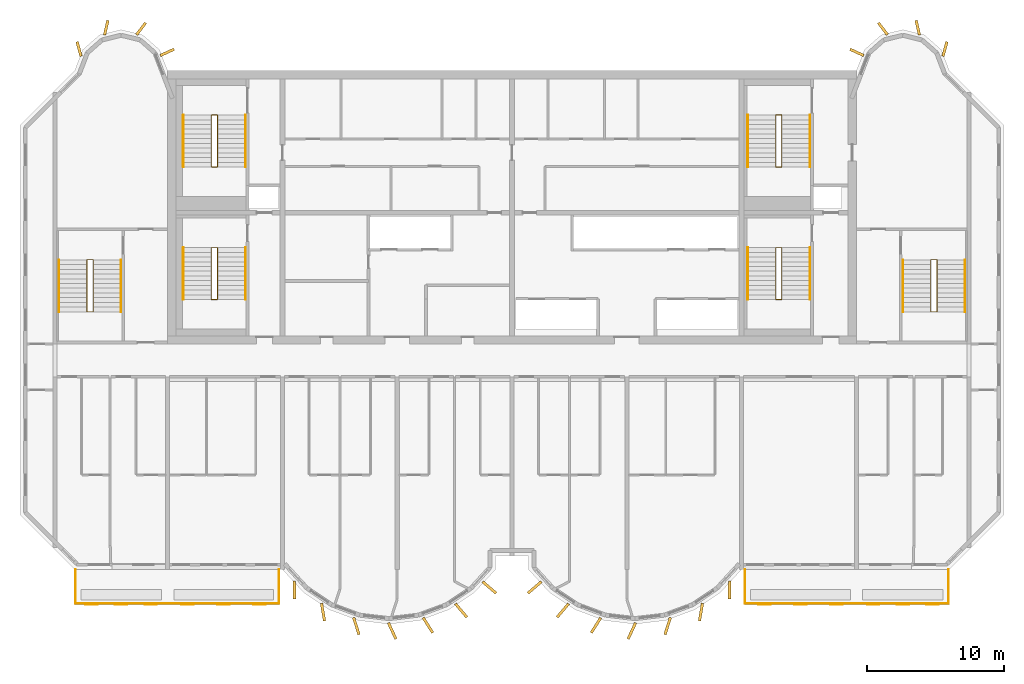
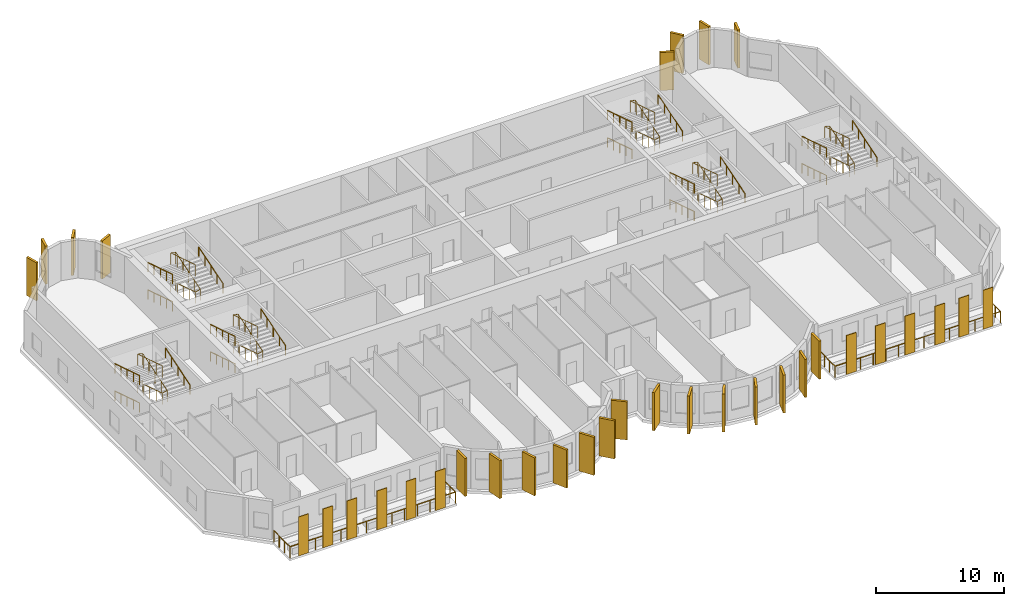
# One storey, part 10 of 11: 34 coverings, 26 railings.
"""IFC4 building model written with IfcOpenShell, lengths in metres."""

from ifc_helpers import new_model, si_unit, direction, frame, origin, origin_2d, place, context, subcontext, project, spatial, rectangle, circle, extrude, source, transform, mapped, material, layer, layer_set, material_profile, profile_set, type_object, element, save


model = new_model("IFC4")

# Units and contexts
model_context = context("Model", 3, precision=1e-05, world=origin(), true_north=direction((0.0, 1.0)))
body_context = subcontext(model_context, "Body", "Model", "MODEL_VIEW")
ifc_project = project(units=[si_unit("LENGTHUNIT", "METRE"), si_unit("AREAUNIT", "SQUARE_METRE"), si_unit("VOLUMEUNIT", "CUBIC_METRE"), si_unit("PLANEANGLEUNIT", "RADIAN"), si_unit("MASSUNIT", "GRAM", prefix="KILO")], contexts=[model_context])

# Site, building, storey
site_placement = place(None, origin())
site = spatial("IfcSite", under=ifc_project, at=site_placement, CompositionType="ELEMENT")
building_placement = place(site_placement, origin())
building = spatial("IfcBuilding", under=site, at=building_placement, Name="Vanashikhar Sky Hotel", CompositionType="ELEMENT")
storey_placement = place(building_placement, frame((0.0, 0.0, 225.699951171875)))
storey = spatial("IfcBuildingStorey", under=building, at=storey_placement, Name="L54", CompositionType="ELEMENT", Elevation=225.699951171875)

# Railings
ifc_material_1 = material(Name="Stainless steel 316", Category="steel")
railing_type_1 = type_object("IfcRailingType", Name="Balcony guard 1100", PredefinedType="GUARDRAIL", material=ifc_material_1)
shared_shape_1 = source(origin(), body_context, "Body", "SweptSolid", [
    extrude(circle(Radius=0.02392578125, at=origin_2d()), frame((0.0, 0.0, 1.076171875), z_axis=(0.0, -1.0, 0.0), x_axis=(1.0, 0.0, 0.0)), (0.0, 0.0, 1.0), 2.5),
    extrude(circle(Radius=0.02392578125, at=origin_2d()), frame((0.0, -2.5, 1.076171875), z_axis=(1.0, 0.0, 0.0), x_axis=(0.0, 1.0, 0.0)), (0.0, 0.0, 1.0), 14.880126953125),
    extrude(circle(Radius=0.02392578125, at=origin_2d()), frame((14.880126953125, -2.5, 1.076171875), z_axis=(0.0, 1.0, 0.0), x_axis=(-1.0, 0.0, 0.0)), (0.0, 0.0, 1.0), 2.5),
    extrude(circle(Radius=0.02099609375, at=origin_2d()), origin(), (0.0, 0.0, 1.0), 1.052001953125),
    extrude(circle(Radius=0.02099609375, at=origin_2d()), frame((0.0, -0.833251953125, 0.0)), (0.0, 0.0, 1.0), 1.052001953125),
    extrude(circle(Radius=0.02099609375, at=origin_2d()), frame((0.0, -1.666748046875, 0.0)), (0.0, 0.0, 1.0), 1.052001953125),
    extrude(circle(Radius=0.02099609375, at=origin_2d()), frame((0.0, -2.5, 0.0)), (0.0, 0.0, 1.0), 1.052001953125),
    extrude(circle(Radius=0.02099609375, at=origin_2d()), frame((1.14453125, -2.5, 0.0)), (0.0, 0.0, 1.0), 1.052001953125),
    extrude(circle(Radius=0.02099609375, at=origin_2d()), frame((2.289306640625, -2.5, 0.0)), (0.0, 0.0, 1.0), 1.052001953125),
    extrude(circle(Radius=0.02099609375, at=origin_2d()), frame((3.433837890625, -2.5, 0.0)), (0.0, 0.0, 1.0), 1.052001953125),
    extrude(circle(Radius=0.02099609375, at=origin_2d()), frame((4.57861328125, -2.5, 0.0)), (0.0, 0.0, 1.0), 1.052001953125),
    extrude(circle(Radius=0.02099609375, at=origin_2d()), frame((5.72314453125, -2.5, 0.0)), (0.0, 0.0, 1.0), 1.052001953125),
    extrude(circle(Radius=0.02099609375, at=origin_2d()), frame((6.86767578125, -2.5, 0.0)), (0.0, 0.0, 1.0), 1.052001953125),
    extrude(circle(Radius=0.02099609375, at=origin_2d()), frame((8.012451171875, -2.5, 0.0)), (0.0, 0.0, 1.0), 1.052001953125),
    extrude(circle(Radius=0.02099609375, at=origin_2d()), frame((9.156982421875, -2.5, 0.0)), (0.0, 0.0, 1.0), 1.052001953125),
    extrude(circle(Radius=0.02099609375, at=origin_2d()), frame((10.301513671875, -2.5, 0.0)), (0.0, 0.0, 1.0), 1.052001953125),
    extrude(circle(Radius=0.02099609375, at=origin_2d()), frame((11.4462890625, -2.5, 0.0)), (0.0, 0.0, 1.0), 1.052001953125),
    extrude(circle(Radius=0.02099609375, at=origin_2d()), frame((12.5908203125, -2.5, 0.0)), (0.0, 0.0, 1.0), 1.052001953125),
    extrude(circle(Radius=0.02099609375, at=origin_2d()), frame((13.735595703125, -2.5, 0.0)), (0.0, 0.0, 1.0), 1.052001953125),
    extrude(circle(Radius=0.02099609375, at=origin_2d()), frame((14.880126953125, -2.5, 0.0)), (0.0, 0.0, 1.0), 1.052001953125),
    extrude(circle(Radius=0.02099609375, at=origin_2d()), frame((14.880126953125, -1.666748046875, 0.0)), (0.0, 0.0, 1.0), 1.052001953125),
    extrude(circle(Radius=0.02099609375, at=origin_2d()), frame((14.880126953125, -0.833251953125, 0.0)), (0.0, 0.0, 1.0), 1.052001953125),
    extrude(circle(Radius=0.02099609375, at=origin_2d()), frame((14.880126953125, 0.0, 0.0)), (0.0, 0.0, 1.0), 1.052001953125),
])
for number, where, name in (
    (1, (18.4599609375, 5.5, -0.050048828125), "Balcony guard"),
    (2, (67.4599609375, 5.5, -0.050048828125), "Balcony guard"),
):
    element("IfcRailing", number, at=place(storey_placement, frame(where)), inside=storey, type_object=railing_type_1, Name=name, PredefinedType="GUARDRAIL", context=body_context, shape_type="MappedRepresentation", body=[
        mapped(shared_shape_1, transform((0.0, 0.0, 0.0), scale=1.0)),
    ])

# Coverings
ifc_material_2 = material(Name="Terracotta", Category="masonry")
ifc_layer = layer(ifc_material_2, 0.06005859375)
ifc_layer_set = layer_set([ifc_layer], Name="Terracotta baguette screen")
covering_type_1 = type_object("IfcCoveringType", Name="Terracotta baguette screen", PredefinedType="CLADDING", material=ifc_layer_set)
shared_shape_2 = source(origin(), body_context, "Body", "SweptSolid", [
    extrude(rectangle(XDim=0.89990234375, YDim=0.06005859375, at=origin_2d()), origin(), (0.0, 0.0, 1.0), 3.699951171875),
])
for number, where, z_axis, x_axis, name in (
    (3, (19.63330078125, 2.929931640625, -0.0498046875), (0.0, 0.0, 1.0), (1.0, 0.0, 0.0), "Terracotta screen"),
    (4, (21.800048828125, 2.929931640625, -0.0498046875), (0.0, 0.0, 1.0), (1.0, 0.0, 0.0), "Terracotta screen"),
    (5, (23.966796875, 2.929931640625, -0.0498046875), (0.0, 0.0, 1.0), (1.0, 0.0, 0.0), "Terracotta screen"),
    (6, (26.666748046875, 2.929931640625, -0.0498046875), (0.0, 0.0, 1.0), (1.0, 0.0, 0.0), "Terracotta screen"),
    (7, (29.300048828125, 2.929931640625, -0.0498046875), (0.0, 0.0, 1.0), (1.0, 0.0, 0.0), "Terracotta screen"),
    (8, (31.933349609375, 2.929931640625, -0.0498046875), (0.0, 0.0, 1.0), (1.0, 0.0, 0.0), "Terracotta screen"),
    (9, (68.86669921875, 2.929931640625, -0.0498046875), (0.0, 0.0, 1.0), (1.0, 0.0, 0.0), "Terracotta screen"),
    (10, (71.5, 2.929931640625, -0.0498046875), (0.0, 0.0, 1.0), (1.0, 0.0, 0.0), "Terracotta screen"),
    (11, (74.13330078125, 2.929931640625, -0.0498046875), (0.0, 0.0, 1.0), (1.0, 0.0, 0.0), "Terracotta screen"),
    (12, (76.833251953125, 2.929931640625, -0.0498046875), (0.0, 0.0, 1.0), (1.0, 0.0, 0.0), "Terracotta screen"),
    (13, (79.0, 2.929931640625, -0.0498046875), (0.0, 0.0, 1.0), (1.0, 0.0, 0.0), "Terracotta screen"),
    (14, (81.166748046875, 2.929931640625, -0.0498046875), (0.0, 0.0, 1.0), (1.0, 0.0, 0.0), "Terracotta screen"),
):
    element("IfcCovering", number, at=place(storey_placement, frame(where, z_axis=z_axis, x_axis=x_axis)), inside=storey, type_object=covering_type_1, Name=name, PredefinedType="CLADDING", context=body_context, shape_type="MappedRepresentation", body=[
        mapped(shared_shape_2, transform((0.0, 0.0, 0.0), scale=1.0)),
    ])
ifc_material_3 = material(Name="Concrete M60 dark", Category="concrete")
ifc_material_profile_1 = material_profile(ifc_material_3, rectangle(XDim=1.300048828125, YDim=0.199951171875, at=origin_2d()))
ifc_profile_set_1 = profile_set([ifc_material_profile_1], Name="Fin 1300 x 200")
covering_type_2 = type_object("IfcCoveringType", Name="Fin 1300 x 200", PredefinedType="CLADDING", material=ifc_profile_set_1)
shared_shape_3 = source(origin(), body_context, "Body", "SweptSolid", [
    extrude(rectangle(XDim=1.300048828125, YDim=0.199951171875, at=origin_2d()), origin(), (0.0, 0.0, 1.0), 3.6201171875),
])
for number, where, z_axis, x_axis, name in (
    (15, (34.482421875, 3.992919921875, 0.0), (0.0, 0.0, 1.0), (0.011588726826, -0.999932848451, 0.0), "Fin F1-1"),
    (16, (36.572509765625, 2.3779296875, 0.0), (0.0, 0.0, 1.0), (0.16989991575, -0.985461322746, 0.0), "Fin F1-2"),
    (17, (39.00830078125, 1.35693359375, 0.0), (0.0, 0.0, 1.0), (0.303966551867, -0.952682704444, 0.0), "Fin F1-3"),
    (18, (41.63232421875, 1.00146484375, 0.0), (0.0, 0.0, 1.0), (0.422618261741, -0.906307787037, 0.0), "Fin F1-4"),
    (19, (44.251953125, 1.416015625, 0.0), (0.0, 0.0, 1.0), (0.534411358496, -0.845224526331, 0.0), "Fin F1-5"),
    (20, (46.676025390625, 2.5, 0.0), (0.0, 0.0, 1.0), (0.645697609467, -0.763593214433, 0.0), "Fin F1-6"),
    (21, (48.7412109375, 4.1845703125, 0.0), (0.0, 0.0, 1.0), (0.758543912032, -0.65162192529, 0.0), "Fin F1-7"),
    (22, (52.058837890625, 4.1845703125, 0.0), (0.0, 0.0, 1.0), (-0.758543912032, -0.65162192529, 0.0), "Fin F2-1"),
    (23, (54.123779296875, 2.5, 0.0), (0.0, 0.0, 1.0), (-0.645697609467, -0.763593214433, 0.0), "Fin F2-2"),
    (24, (56.547119140625, 1.416015625, 0.0), (0.0, 0.0, 1.0), (-0.534411358496, -0.845224526331, 0.0), "Fin F2-3"),
    (25, (59.16748046875, 1.00146484375, 0.0), (0.0, 0.0, 1.0), (-0.422618261741, -0.906307787037, 0.0), "Fin F2-4"),
    (26, (61.790771484375, 1.35693359375, 0.0), (0.0, 0.0, 1.0), (-0.303966551867, -0.952682704444, 0.0), "Fin F2-5"),
    (27, (64.2275390625, 2.3779296875, 0.0), (0.0, 0.0, 1.0), (-0.16989991575, -0.985461322746, 0.0), "Fin F2-6"),
    (28, (66.317626953125, 3.992919921875, 0.0), (0.0, 0.0, 1.0), (-0.011588726826, -0.999932848451, 0.0), "Fin F2-7"),
):
    element("IfcCovering", number, at=place(storey_placement, frame(where, z_axis=z_axis, x_axis=x_axis)), inside=storey, type_object=covering_type_2, Name=name, PredefinedType="CLADDING", context=body_context, shape_type="MappedRepresentation", body=[
        mapped(shared_shape_3, transform((0.0, 0.0, 0.0), scale=1.0)),
    ])
ifc_material_profile_2 = material_profile(ifc_material_3, rectangle(XDim=1.10009765625, YDim=0.199951171875, at=origin_2d()))
ifc_profile_set_2 = profile_set([ifc_material_profile_2], Name="Rear lobe fin 1100 x 200")
covering_type_3 = type_object("IfcCoveringType", Name="Rear lobe fin 1100 x 200", PredefinedType="CLADDING", material=ifc_profile_set_2)
shared_shape_4 = source(origin(), body_context, "Body", "SweptSolid", [
    extrude(rectangle(XDim=1.10009765625, YDim=0.199951171875, at=origin_2d()), origin(), (0.0, 0.0, 1.0), 3.6201171875),
])
for number, where, z_axis, x_axis, name in (
    (29, (18.720703125, 43.580078125, 0.0), (0.0, 0.0, 1.0), (-0.262711264409, 0.964874495234, 0.0), "Fin R1-1"),
    (30, (20.710205078125, 45.1455078125, 0.0), (0.0, 0.0, 1.0), (0.224644935864, 0.974440687159, 0.0), "Fin R1-2"),
    (31, (23.261962890625, 45.06640625, 0.0), (0.0, 0.0, 1.0), (0.602065892195, 0.798446404874, 0.0), "Fin R1-3"),
    (32, (25.169677734375, 43.33447265625, 0.0), (0.0, 0.0, 1.0), (0.908004291068, 0.418960866193, 0.0), "Fin R1-4"),
    (33, (75.63037109375, 43.33447265625, 0.0), (0.0, 0.0, 1.0), (-0.908004291068, 0.418960866193, 0.0), "Fin R2-1"),
    (34, (77.5380859375, 45.06640625, 0.0), (0.0, 0.0, 1.0), (-0.602065892195, 0.798446404874, 0.0), "Fin R2-2"),
    (35, (80.08984375, 45.1455078125, 0.0), (0.0, 0.0, 1.0), (-0.224644935864, 0.974440687159, 0.0), "Fin R2-3"),
    (36, (82.0791015625, 43.580078125, 0.0), (0.0, 0.0, 1.0), (0.262711264409, 0.964874495234, 0.0), "Fin R2-4"),
):
    element("IfcCovering", number, at=place(storey_placement, frame(where, z_axis=z_axis, x_axis=x_axis)), inside=storey, type_object=covering_type_3, Name=name, PredefinedType="CLADDING", context=body_context, shape_type="MappedRepresentation", body=[
        mapped(shared_shape_4, transform((0.0, 0.0, 0.0), scale=1.0)),
    ])

# Railings
ifc_material_4 = material(Name="Steel S355", Category="steel")
railing_type_2 = type_object("IfcRailingType", Name="Stair handrail 900", PredefinedType="HANDRAIL", material=ifc_material_4)
shared_shape_5 = source(origin(), body_context, "Body", "SweptSolid", [
    extrude(circle(Radius=0.02392578125, at=origin_2d()), frame((0.0, 0.0, 0.8759765625), z_axis=(0.0, 0.95418390146, 0.299220791714), x_axis=(-1.0, 0.0, 0.0)), (0.0, 0.0, 1.0), 3.982421875),
    extrude(circle(Radius=0.02099609375, at=origin_2d()), origin(), (0.0, 0.0, 1.0), 0.851806640625),
    extrude(circle(Radius=0.02099609375, at=origin_2d()), frame((0.0, 0.949951171875, 0.2978515625)), (0.0, 0.0, 1.0), 0.851806640625),
    extrude(circle(Radius=0.02099609375, at=origin_2d()), frame((0.0, 1.89990234375, 0.595703125)), (0.0, 0.0, 1.0), 0.851806640625),
    extrude(circle(Radius=0.02099609375, at=origin_2d()), frame((0.0, 2.85009765625, 0.893798828125)), (0.0, 0.0, 1.0), 0.851806640625),
    extrude(circle(Radius=0.02099609375, at=origin_2d()), frame((0.0, 3.800048828125, 1.191650390625)), (0.0, 0.0, 1.0), 0.851806640625),
])
for number, where, name in (
    (37, (30.89990234375, 25.25, 1.408447265625), "Exit stair 1 handrail"),
    (38, (72.199951171875, 25.25, 1.408447265625), "Exit stair 2 handrail"),
    (39, (30.89990234375, 34.949951171875, 1.408447265625), "Exit stair 5 handrail"),
    (40, (72.199951171875, 34.949951171875, 1.408447265625), "Exit stair 6 handrail"),
):
    element("IfcRailing", number, at=place(storey_placement, frame(where)), inside=storey, type_object=railing_type_2, Name=name, PredefinedType="HANDRAIL", context=body_context, shape_type="MappedRepresentation", body=[
        mapped(shared_shape_5, transform((0.0, 0.0, 0.0), scale=1.0)),
    ])
shared_shape_6 = source(origin(), body_context, "Body", "SweptSolid", [
    extrude(circle(Radius=0.02392578125, at=origin_2d()), frame((0.0, 0.0, 0.8759765625), z_axis=(0.0, -0.95418390146, 0.299220791714), x_axis=(1.0, 0.0, 0.0)), (0.0, 0.0, 1.0), 3.982421875),
    extrude(circle(Radius=0.02099609375, at=origin_2d()), origin(), (0.0, 0.0, 1.0), 0.851806640625),
    extrude(circle(Radius=0.02099609375, at=origin_2d()), frame((0.0, -0.949951171875, 0.2978515625)), (0.0, 0.0, 1.0), 0.851806640625),
    extrude(circle(Radius=0.02099609375, at=origin_2d()), frame((0.0, -1.89990234375, 0.595703125)), (0.0, 0.0, 1.0), 0.851806640625),
    extrude(circle(Radius=0.02099609375, at=origin_2d()), frame((0.0, -2.85009765625, 0.893798828125)), (0.0, 0.0, 1.0), 0.851806640625),
    extrude(circle(Radius=0.02099609375, at=origin_2d()), frame((0.0, -3.800048828125, 1.191650390625)), (0.0, 0.0, 1.0), 0.851806640625),
])
for number, where, name in (
    (41, (26.35009765625, 29.050048828125, 0.1083984375), "Exit stair 1 handrail"),
    (42, (26.35009765625, 29.050048828125, 2.70849609375), "Exit stair 1 handrail"),
    (43, (67.64990234375, 29.050048828125, 0.1083984375), "Exit stair 2 handrail"),
    (44, (67.64990234375, 29.050048828125, 2.70849609375), "Exit stair 2 handrail"),
    (45, (26.35009765625, 38.75, 0.1083984375), "Exit stair 5 handrail"),
    (46, (26.35009765625, 38.75, 2.70849609375), "Exit stair 5 handrail"),
    (47, (67.64990234375, 38.75, 0.1083984375), "Exit stair 6 handrail"),
    (48, (67.64990234375, 38.75, 2.70849609375), "Exit stair 6 handrail"),
):
    element("IfcRailing", number, at=place(storey_placement, frame(where)), inside=storey, type_object=railing_type_2, Name=name, PredefinedType="HANDRAIL", context=body_context, shape_type="MappedRepresentation", body=[
        mapped(shared_shape_6, transform((0.0, 0.0, 0.0), scale=1.0)),
    ])
railing_type_3 = type_object("IfcRailingType", Name="Stair guard 1100", PredefinedType="GUARDRAIL", material=ifc_material_4)
shared_shape_7 = source(origin(), body_context, "Body", "SweptSolid", [
    extrude(circle(Radius=0.02392578125, at=origin_2d()), frame((0.0, 0.0, 1.076171875), z_axis=(-0.972214749574, 0.0, 0.234090753151), x_axis=(0.0, -1.0, 0.0)), (0.0, 0.0, 1.0), 0.463134765625),
    extrude(circle(Radius=0.02392578125, at=origin_2d()), frame((-0.4501953125, 0.0, 1.1845703125), z_axis=(0.0, -0.95418390146, 0.299220791714), x_axis=(1.0, 0.0, 0.0)), (0.0, 0.0, 1.0), 3.982421875),
    extrude(circle(Radius=0.02392578125, at=origin_2d()), frame((-0.4501953125, -3.800048828125, 2.3759765625), z_axis=(0.972214749574, 0.0, 0.234090753151), x_axis=(0.0, 1.0, 0.0)), (0.0, 0.0, 1.0), 0.463134765625),
    extrude(circle(Radius=0.02392578125, at=origin_2d()), frame((0.0, -3.800048828125, 2.484375), z_axis=(0.0, 0.95418390146, 0.299220791714), x_axis=(-1.0, 0.0, 0.0)), (0.0, 0.0, 1.0), 3.982421875),
    extrude(circle(Radius=0.02392578125, at=origin_2d()), frame((0.0, 0.0, 3.67626953125), z_axis=(-0.972214749574, 0.0, 0.234090753151), x_axis=(0.0, -1.0, 0.0)), (0.0, 0.0, 1.0), 0.463134765625),
    extrude(circle(Radius=0.02392578125, at=origin_2d()), frame((-0.4501953125, 0.0, 3.78466796875), z_axis=(0.0, -0.95418390146, 0.299220791714), x_axis=(1.0, 0.0, 0.0)), (0.0, 0.0, 1.0), 3.982421875),
    extrude(circle(Radius=0.02099609375, at=origin_2d()), origin(), (0.0, 0.0, 1.0), 1.052001953125),
    extrude(circle(Radius=0.02099609375, at=origin_2d()), frame((-0.4501953125, 0.0, 0.1083984375)), (0.0, 0.0, 1.0), 1.052001953125),
    extrude(circle(Radius=0.02099609375, at=origin_2d()), frame((-0.4501953125, -0.949951171875, 0.40625)), (0.0, 0.0, 1.0), 1.052001953125),
    extrude(circle(Radius=0.02099609375, at=origin_2d()), frame((-0.4501953125, -1.89990234375, 0.7041015625)), (0.0, 0.0, 1.0), 1.052001953125),
    extrude(circle(Radius=0.02099609375, at=origin_2d()), frame((-0.4501953125, -2.85009765625, 1.002197265625)), (0.0, 0.0, 1.0), 1.052001953125),
    extrude(circle(Radius=0.02099609375, at=origin_2d()), frame((-0.4501953125, -3.800048828125, 1.300048828125)), (0.0, 0.0, 1.0), 1.052001953125),
    extrude(circle(Radius=0.02099609375, at=origin_2d()), frame((0.0, -3.800048828125, 1.408447265625)), (0.0, 0.0, 1.0), 1.052001953125),
    extrude(circle(Radius=0.02099609375, at=origin_2d()), frame((0.0, -2.85009765625, 1.706298828125)), (0.0, 0.0, 1.0), 1.052001953125),
    extrude(circle(Radius=0.02099609375, at=origin_2d()), frame((0.0, -1.89990234375, 2.00439453125)), (0.0, 0.0, 1.0), 1.052001953125),
    extrude(circle(Radius=0.02099609375, at=origin_2d()), frame((0.0, -0.949951171875, 2.30224609375)), (0.0, 0.0, 1.0), 1.052001953125),
    extrude(circle(Radius=0.02099609375, at=origin_2d()), frame((0.0, 0.0, 2.60009765625)), (0.0, 0.0, 1.0), 1.052001953125),
    extrude(circle(Radius=0.02099609375, at=origin_2d()), frame((-0.4501953125, 0.0, 2.70849609375)), (0.0, 0.0, 1.0), 1.052001953125),
    extrude(circle(Radius=0.02099609375, at=origin_2d()), frame((-0.4501953125, -0.949951171875, 3.00634765625)), (0.0, 0.0, 1.0), 1.052001953125),
    extrude(circle(Radius=0.02099609375, at=origin_2d()), frame((-0.4501953125, -1.89990234375, 3.30419921875)), (0.0, 0.0, 1.0), 1.052001953125),
    extrude(circle(Radius=0.02099609375, at=origin_2d()), frame((-0.4501953125, -2.85009765625, 3.602294921875)), (0.0, 0.0, 1.0), 1.052001953125),
    extrude(circle(Radius=0.02099609375, at=origin_2d()), frame((-0.4501953125, -3.800048828125, 3.900146484375)), (0.0, 0.0, 1.0), 1.052001953125),
])
for number, where, name in (
    (49, (28.85009765625, 29.050048828125, 0.0), "Exit stair 1 guard"),
    (50, (28.85009765625, 38.75, 0.0), "Exit stair 5 guard"),
):
    element("IfcRailing", number, at=place(storey_placement, frame(where)), inside=storey, type_object=railing_type_3, Name=name, PredefinedType="GUARDRAIL", context=body_context, shape_type="MappedRepresentation", body=[
        mapped(shared_shape_7, transform((0.0, 0.0, 0.0), scale=1.0)),
    ])
shared_shape_8 = source(origin(), body_context, "Body", "SweptSolid", [
    extrude(circle(Radius=0.02392578125, at=origin_2d()), frame((0.0, 0.0, 1.076171875), z_axis=(-0.972185835864, 0.0, 0.234210803648), x_axis=(0.0, -1.0, 0.0)), (0.0, 0.0, 1.0), 0.462890625),
    extrude(circle(Radius=0.02392578125, at=origin_2d()), frame((-0.449951171875, 0.0, 1.1845703125), z_axis=(0.0, -0.95418390146, 0.299220791714), x_axis=(1.0, 0.0, 0.0)), (0.0, 0.0, 1.0), 3.982421875),
    extrude(circle(Radius=0.02392578125, at=origin_2d()), frame((-0.449951171875, -3.800048828125, 2.3759765625), z_axis=(0.972185835864, 0.0, 0.234210803648), x_axis=(0.0, 1.0, 0.0)), (0.0, 0.0, 1.0), 0.462890625),
    extrude(circle(Radius=0.02392578125, at=origin_2d()), frame((0.0, -3.800048828125, 2.484375), z_axis=(0.0, 0.95418390146, 0.299220791714), x_axis=(-1.0, 0.0, 0.0)), (0.0, 0.0, 1.0), 3.982421875),
    extrude(circle(Radius=0.02392578125, at=origin_2d()), frame((0.0, 0.0, 3.67626953125), z_axis=(-0.972185835864, 0.0, 0.234210803648), x_axis=(0.0, -1.0, 0.0)), (0.0, 0.0, 1.0), 0.462890625),
    extrude(circle(Radius=0.02392578125, at=origin_2d()), frame((-0.449951171875, 0.0, 3.78466796875), z_axis=(0.0, -0.95418390146, 0.299220791714), x_axis=(1.0, 0.0, 0.0)), (0.0, 0.0, 1.0), 3.982421875),
    extrude(circle(Radius=0.02099609375, at=origin_2d()), origin(), (0.0, 0.0, 1.0), 1.052001953125),
    extrude(circle(Radius=0.02099609375, at=origin_2d()), frame((-0.449951171875, 0.0, 0.1083984375)), (0.0, 0.0, 1.0), 1.052001953125),
    extrude(circle(Radius=0.02099609375, at=origin_2d()), frame((-0.449951171875, -0.949951171875, 0.40625)), (0.0, 0.0, 1.0), 1.052001953125),
    extrude(circle(Radius=0.02099609375, at=origin_2d()), frame((-0.449951171875, -1.89990234375, 0.7041015625)), (0.0, 0.0, 1.0), 1.052001953125),
    extrude(circle(Radius=0.02099609375, at=origin_2d()), frame((-0.449951171875, -2.85009765625, 1.002197265625)), (0.0, 0.0, 1.0), 1.052001953125),
    extrude(circle(Radius=0.02099609375, at=origin_2d()), frame((-0.449951171875, -3.800048828125, 1.300048828125)), (0.0, 0.0, 1.0), 1.052001953125),
    extrude(circle(Radius=0.02099609375, at=origin_2d()), frame((0.0, -3.800048828125, 1.408447265625)), (0.0, 0.0, 1.0), 1.052001953125),
    extrude(circle(Radius=0.02099609375, at=origin_2d()), frame((0.0, -2.85009765625, 1.706298828125)), (0.0, 0.0, 1.0), 1.052001953125),
    extrude(circle(Radius=0.02099609375, at=origin_2d()), frame((0.0, -1.89990234375, 2.00439453125)), (0.0, 0.0, 1.0), 1.052001953125),
    extrude(circle(Radius=0.02099609375, at=origin_2d()), frame((0.0, -0.949951171875, 2.30224609375)), (0.0, 0.0, 1.0), 1.052001953125),
    extrude(circle(Radius=0.02099609375, at=origin_2d()), frame((0.0, 0.0, 2.60009765625)), (0.0, 0.0, 1.0), 1.052001953125),
    extrude(circle(Radius=0.02099609375, at=origin_2d()), frame((-0.449951171875, 0.0, 2.70849609375)), (0.0, 0.0, 1.0), 1.052001953125),
    extrude(circle(Radius=0.02099609375, at=origin_2d()), frame((-0.449951171875, -0.949951171875, 3.00634765625)), (0.0, 0.0, 1.0), 1.052001953125),
    extrude(circle(Radius=0.02099609375, at=origin_2d()), frame((-0.449951171875, -1.89990234375, 3.30419921875)), (0.0, 0.0, 1.0), 1.052001953125),
    extrude(circle(Radius=0.02099609375, at=origin_2d()), frame((-0.449951171875, -2.85009765625, 3.602294921875)), (0.0, 0.0, 1.0), 1.052001953125),
    extrude(circle(Radius=0.02099609375, at=origin_2d()), frame((-0.449951171875, -3.800048828125, 3.900146484375)), (0.0, 0.0, 1.0), 1.052001953125),
])
for number, where, name in (
    (51, (70.14990234375, 29.050048828125, 0.0), "Exit stair 2 guard"),
    (52, (70.14990234375, 38.75, 0.0), "Exit stair 6 guard"),
):
    element("IfcRailing", number, at=place(storey_placement, frame(where)), inside=storey, type_object=railing_type_3, Name=name, PredefinedType="GUARDRAIL", context=body_context, shape_type="MappedRepresentation", body=[
        mapped(shared_shape_8, transform((0.0, 0.0, 0.0), scale=1.0)),
    ])
shared_shape_9 = source(origin(), body_context, "Body", "SweptSolid", [
    extrude(circle(Radius=0.02392578125, at=origin_2d()), frame((0.0, 0.0, 0.8759765625), z_axis=(0.0, 0.954178412317, 0.299238295459), x_axis=(-1.0, 0.0, 0.0)), (0.0, 0.0, 1.0), 3.982177734375),
    extrude(circle(Radius=0.02099609375, at=origin_2d()), origin(), (0.0, 0.0, 1.0), 0.851806640625),
    extrude(circle(Radius=0.02099609375, at=origin_2d()), frame((0.0, 0.949951171875, 0.2978515625)), (0.0, 0.0, 1.0), 0.851806640625),
    extrude(circle(Radius=0.02099609375, at=origin_2d()), frame((0.0, 1.89990234375, 0.595703125)), (0.0, 0.0, 1.0), 0.851806640625),
    extrude(circle(Radius=0.02099609375, at=origin_2d()), frame((0.0, 2.849853515625, 0.893798828125)), (0.0, 0.0, 1.0), 0.851806640625),
    extrude(circle(Radius=0.02099609375, at=origin_2d()), frame((0.0, 3.7998046875, 1.191650390625)), (0.0, 0.0, 1.0), 0.851806640625),
])
for number, where, name in (
    (53, (21.800048828125, 24.35009765625, 1.408447265625), "Exit stair 3 handrail"),
    (54, (83.550048828125, 24.35009765625, 1.408447265625), "Exit stair 4 handrail"),
):
    element("IfcRailing", number, at=place(storey_placement, frame(where)), inside=storey, type_object=railing_type_2, Name=name, PredefinedType="HANDRAIL", context=body_context, shape_type="MappedRepresentation", body=[
        mapped(shared_shape_9, transform((0.0, 0.0, 0.0), scale=1.0)),
    ])
shared_shape_10 = source(origin(), body_context, "Body", "SweptSolid", [
    extrude(circle(Radius=0.02392578125, at=origin_2d()), frame((0.0, 0.0, 0.8759765625), z_axis=(0.0, -0.954178412317, 0.299238295459), x_axis=(1.0, 0.0, 0.0)), (0.0, 0.0, 1.0), 3.982177734375),
    extrude(circle(Radius=0.02099609375, at=origin_2d()), origin(), (0.0, 0.0, 1.0), 0.851806640625),
    extrude(circle(Radius=0.02099609375, at=origin_2d()), frame((0.0, -0.949951171875, 0.2978515625)), (0.0, 0.0, 1.0), 0.851806640625),
    extrude(circle(Radius=0.02099609375, at=origin_2d()), frame((0.0, -1.89990234375, 0.595703125)), (0.0, 0.0, 1.0), 0.851806640625),
    extrude(circle(Radius=0.02099609375, at=origin_2d()), frame((0.0, -2.849853515625, 0.893798828125)), (0.0, 0.0, 1.0), 0.851806640625),
    extrude(circle(Radius=0.02099609375, at=origin_2d()), frame((0.0, -3.7998046875, 1.191650390625)), (0.0, 0.0, 1.0), 0.851806640625),
])
for number, where, name in (
    (55, (17.25, 28.14990234375, 0.1083984375), "Exit stair 3 handrail"),
    (56, (17.25, 28.14990234375, 2.70849609375), "Exit stair 3 handrail"),
    (57, (79.0, 28.14990234375, 0.1083984375), "Exit stair 4 handrail"),
    (58, (79.0, 28.14990234375, 2.70849609375), "Exit stair 4 handrail"),
):
    element("IfcRailing", number, at=place(storey_placement, frame(where)), inside=storey, type_object=railing_type_2, Name=name, PredefinedType="HANDRAIL", context=body_context, shape_type="MappedRepresentation", body=[
        mapped(shared_shape_10, transform((0.0, 0.0, 0.0), scale=1.0)),
    ])
shared_shape_11 = source(origin(), body_context, "Body", "SweptSolid", [
    extrude(circle(Radius=0.02392578125, at=origin_2d()), frame((0.0, 0.0, 1.076171875), z_axis=(-0.972185835864, 0.0, 0.234210803648), x_axis=(0.0, -1.0, 0.0)), (0.0, 0.0, 1.0), 0.462890625),
    extrude(circle(Radius=0.02392578125, at=origin_2d()), frame((-0.449951171875, 0.0, 1.1845703125), z_axis=(0.0, -0.954178412317, 0.299238295459), x_axis=(1.0, 0.0, 0.0)), (0.0, 0.0, 1.0), 3.982177734375),
    extrude(circle(Radius=0.02392578125, at=origin_2d()), frame((-0.449951171875, -3.7998046875, 2.3759765625), z_axis=(0.972185835864, 0.0, 0.234210803648), x_axis=(0.0, 1.0, 0.0)), (0.0, 0.0, 1.0), 0.462890625),
    extrude(circle(Radius=0.02392578125, at=origin_2d()), frame((0.0, -3.7998046875, 2.484375), z_axis=(0.0, 0.954178412317, 0.299238295459), x_axis=(-1.0, 0.0, 0.0)), (0.0, 0.0, 1.0), 3.982177734375),
    extrude(circle(Radius=0.02392578125, at=origin_2d()), frame((0.0, 0.0, 3.67626953125), z_axis=(-0.972185835864, 0.0, 0.234210803648), x_axis=(0.0, -1.0, 0.0)), (0.0, 0.0, 1.0), 0.462890625),
    extrude(circle(Radius=0.02392578125, at=origin_2d()), frame((-0.449951171875, 0.0, 3.78466796875), z_axis=(0.0, -0.954178412317, 0.299238295459), x_axis=(1.0, 0.0, 0.0)), (0.0, 0.0, 1.0), 3.982177734375),
    extrude(circle(Radius=0.02099609375, at=origin_2d()), origin(), (0.0, 0.0, 1.0), 1.052001953125),
    extrude(circle(Radius=0.02099609375, at=origin_2d()), frame((-0.449951171875, 0.0, 0.1083984375)), (0.0, 0.0, 1.0), 1.052001953125),
    extrude(circle(Radius=0.02099609375, at=origin_2d()), frame((-0.449951171875, -0.949951171875, 0.40625)), (0.0, 0.0, 1.0), 1.052001953125),
    extrude(circle(Radius=0.02099609375, at=origin_2d()), frame((-0.449951171875, -1.89990234375, 0.7041015625)), (0.0, 0.0, 1.0), 1.052001953125),
    extrude(circle(Radius=0.02099609375, at=origin_2d()), frame((-0.449951171875, -2.849853515625, 1.002197265625)), (0.0, 0.0, 1.0), 1.052001953125),
    extrude(circle(Radius=0.02099609375, at=origin_2d()), frame((-0.449951171875, -3.7998046875, 1.300048828125)), (0.0, 0.0, 1.0), 1.052001953125),
    extrude(circle(Radius=0.02099609375, at=origin_2d()), frame((0.0, -3.7998046875, 1.408447265625)), (0.0, 0.0, 1.0), 1.052001953125),
    extrude(circle(Radius=0.02099609375, at=origin_2d()), frame((0.0, -2.849853515625, 1.706298828125)), (0.0, 0.0, 1.0), 1.052001953125),
    extrude(circle(Radius=0.02099609375, at=origin_2d()), frame((0.0, -1.89990234375, 2.00439453125)), (0.0, 0.0, 1.0), 1.052001953125),
    extrude(circle(Radius=0.02099609375, at=origin_2d()), frame((0.0, -0.949951171875, 2.30224609375)), (0.0, 0.0, 1.0), 1.052001953125),
    extrude(circle(Radius=0.02099609375, at=origin_2d()), frame((0.0, 0.0, 2.60009765625)), (0.0, 0.0, 1.0), 1.052001953125),
    extrude(circle(Radius=0.02099609375, at=origin_2d()), frame((-0.449951171875, 0.0, 2.70849609375)), (0.0, 0.0, 1.0), 1.052001953125),
    extrude(circle(Radius=0.02099609375, at=origin_2d()), frame((-0.449951171875, -0.949951171875, 3.00634765625)), (0.0, 0.0, 1.0), 1.052001953125),
    extrude(circle(Radius=0.02099609375, at=origin_2d()), frame((-0.449951171875, -1.89990234375, 3.30419921875)), (0.0, 0.0, 1.0), 1.052001953125),
    extrude(circle(Radius=0.02099609375, at=origin_2d()), frame((-0.449951171875, -2.849853515625, 3.602294921875)), (0.0, 0.0, 1.0), 1.052001953125),
    extrude(circle(Radius=0.02099609375, at=origin_2d()), frame((-0.449951171875, -3.7998046875, 3.900146484375)), (0.0, 0.0, 1.0), 1.052001953125),
])
for number, where, name in (
    (59, (19.75, 28.14990234375, 0.0), "Exit stair 3 guard"),
    (60, (81.5, 28.14990234375, 0.0), "Exit stair 4 guard"),
):
    element("IfcRailing", number, at=place(storey_placement, frame(where)), inside=storey, type_object=railing_type_3, Name=name, PredefinedType="GUARDRAIL", context=body_context, shape_type="MappedRepresentation", body=[
        mapped(shared_shape_11, transform((0.0, 0.0, 0.0), scale=1.0)),
    ])

save(model, "model.ifc")
